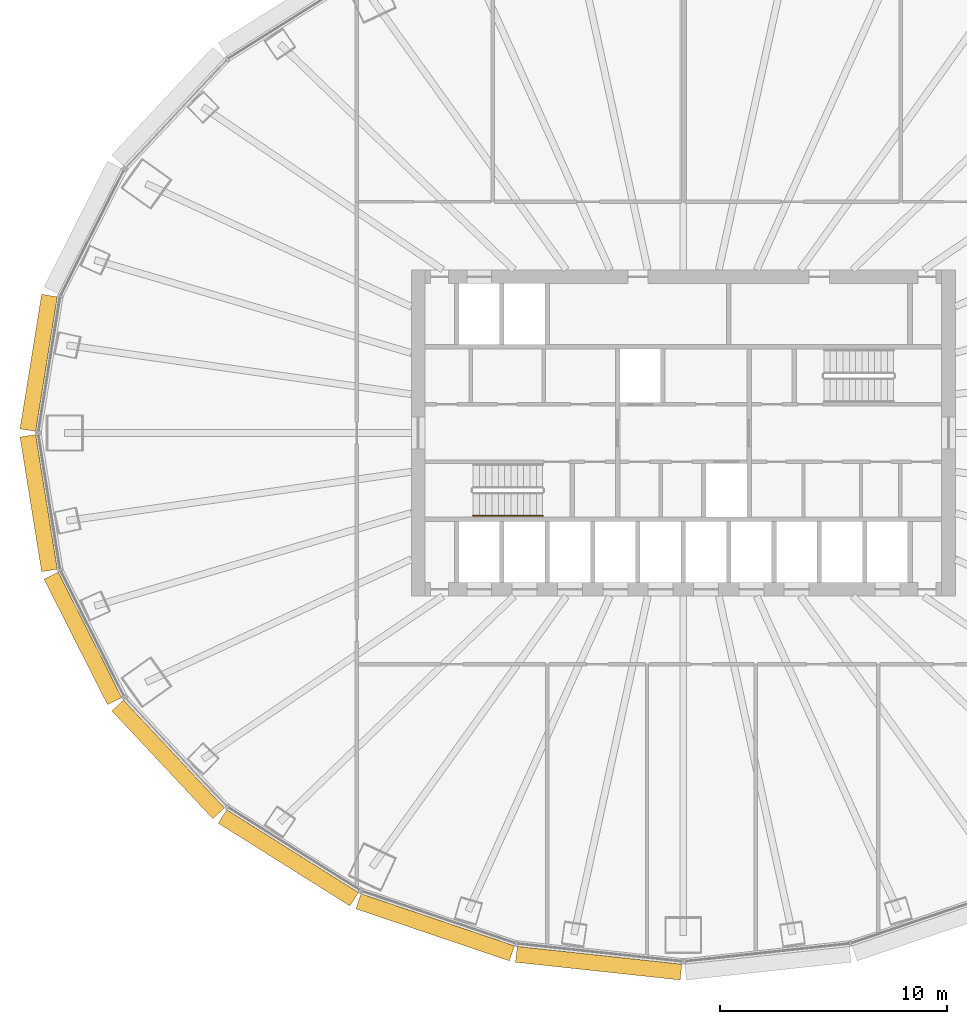
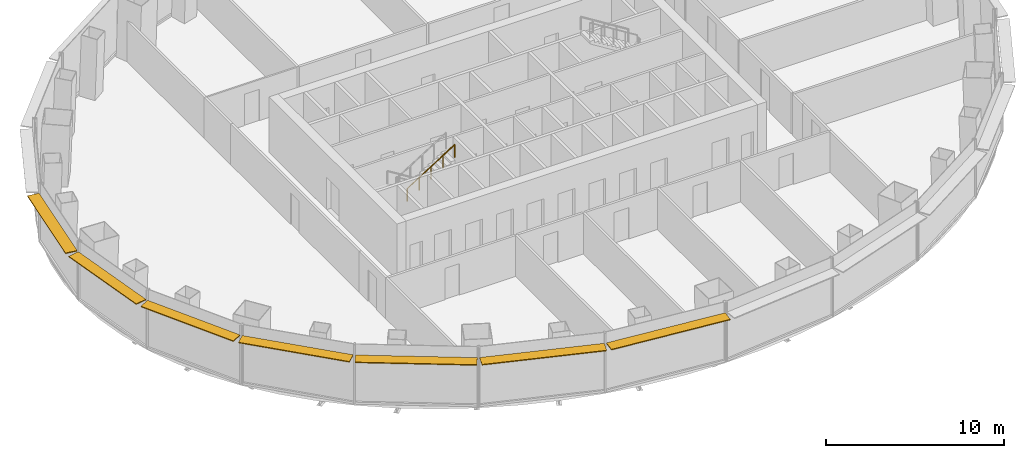
# One storey, part 10 of 13: 7 shading devices, 1 railing.
"""IFC4 building model written with IfcOpenShell, lengths in metres."""

from ifc_helpers import new_model, si_unit, direction, frame, origin, origin_2d, place, context, subcontext, project, spatial, rectangle, circle, extrude, material, layer, layer_set, type_object, element, save


model = new_model("IFC4")

# Units and contexts
model_context = context("Model", 3, precision=1e-05, world=origin(), true_north=direction((0.0, 1.0)))
body_context = subcontext(model_context, "Body", "Model", "MODEL_VIEW")
ifc_project = project(units=[si_unit("LENGTHUNIT", "METRE"), si_unit("AREAUNIT", "SQUARE_METRE"), si_unit("VOLUMEUNIT", "CUBIC_METRE"), si_unit("PLANEANGLEUNIT", "RADIAN"), si_unit("MASSUNIT", "GRAM", prefix="KILO")], contexts=[model_context])

# Site, building, storey
site_placement = place(None, origin())
site = spatial("IfcSite", under=ifc_project, at=site_placement, CompositionType="ELEMENT")
building_placement = place(site_placement, origin())
building = spatial("IfcBuilding", under=site, at=building_placement, Name="Siaravel Broadcast Tower", CompositionType="ELEMENT")
storey_placement = place(building_placement, frame((0.0, 0.0, 32.89990234375)))
storey = spatial("IfcBuildingStorey", under=building, at=storey_placement, Name="L06", CompositionType="ELEMENT", Elevation=32.89990234375)

# Shading devices
ifc_material_1 = material(Name="Bronze anodised aluminium", Category="aluminium")
ifc_layer = layer(ifc_material_1, 0.06005859375)
ifc_layer_set = layer_set([ifc_layer], Name="Bronze anodised aluminium")
shading_device_type = type_object("IfcShadingDeviceType", Name="Brise-soleil band", PredefinedType="USERDEFINED", material=ifc_layer_set)
for number, where, z_axis, x_axis, name in (
    (1, (-28.435546875, 3.093505859375, 3.320068359375), (0.0, 0.0, 1.0), (-0.158685394, -0.987329198, 0.0), "L06 brise-soleil band 12"),
    (2, (-28.435546875, -3.093505859375, 3.320068359375), (0.0, 0.0, 1.0), (0.158685394, -0.987329198, 0.0), "L06 brise-soleil band 13"),
):
    element("IfcShadingDevice", number, at=place(storey_placement, frame(where, z_axis=z_axis, x_axis=x_axis)), inside=storey, type_object=shading_device_type, Name=name, ObjectType="SUNSHADE", PredefinedType="USERDEFINED", context=body_context, shape_type="SweptSolid", body=[
        extrude(rectangle(XDim=6.0146484375, YDim=0.699951171875, at=origin_2d()), origin(), (0.0, 0.0, 1.0), 0.06005859375),
    ])
shading_device_1_placement = place(storey_placement, frame((-26.4833984375, -9.06298828125, 3.320068359375), z_axis=(0.0, 0.0, 1.0), x_axis=(0.451262289, -0.892391364, 0.0)))
element("IfcShadingDevice", 3, at=shading_device_1_placement, inside=storey, type_object=shading_device_type, Name="L06 brise-soleil band 14", ObjectType="SUNSHADE", PredefinedType="USERDEFINED", context=body_context, shape_type="SweptSolid", body=[
    extrude(rectangle(XDim=6.20263671875, YDim=0.699951171875, at=origin_2d()), origin(), (0.0, 0.0, 1.0), 0.06005859375),
])
shading_device_2_placement = place(storey_placement, frame((-22.722900390625, -14.399169921875, 3.320068359375), z_axis=(0.0, 0.0, 1.0), x_axis=(0.683655992, -0.729804415, 0.0)))
element("IfcShadingDevice", 4, at=shading_device_2_placement, inside=storey, type_object=shading_device_type, Name="L06 brise-soleil band 15", ObjectType="SUNSHADE", PredefinedType="USERDEFINED", context=body_context, shape_type="SweptSolid", body=[
    extrude(rectangle(XDim=6.51611328125, YDim=0.699951171875, at=origin_2d()), origin(), (0.0, 0.0, 1.0), 0.06005859375),
])
shading_device_3_placement = place(storey_placement, frame((-17.42138671875, -18.742431640625, 3.320068359375), z_axis=(0.0, 0.0, 1.0), x_axis=(0.846651365, -0.532147974, 0.0)))
element("IfcShadingDevice", 5, at=shading_device_3_placement, inside=storey, type_object=shading_device_type, Name="L06 brise-soleil band 16", ObjectType="SUNSHADE", PredefinedType="USERDEFINED", context=body_context, shape_type="SweptSolid", body=[
    extrude(rectangle(XDim=6.860107421875, YDim=0.699951171875, at=origin_2d()), origin(), (0.0, 0.0, 1.0), 0.06005859375),
])
shading_device_4_placement = place(storey_placement, frame((-10.944580078125, -21.805908203125, 3.320068359375), z_axis=(0.0, 0.0, 1.0), x_axis=(0.946977245, -0.321300635, 0.0)))
element("IfcShadingDevice", 6, at=shading_device_4_placement, inside=storey, type_object=shading_device_type, Name="L06 brise-soleil band 17", ObjectType="SUNSHADE", PredefinedType="USERDEFINED", context=body_context, shape_type="SweptSolid", body=[
    extrude(rectangle(XDim=7.145263671875, YDim=0.699951171875, at=origin_2d()), origin(), (0.0, 0.0, 1.0), 0.06005859375),
])
shading_device_5_placement = place(storey_placement, frame((-3.731689453125, -23.388916015625, 3.320068359375), z_axis=(0.0, 0.0, 1.0), x_axis=(0.994235667, -0.107216783, 0.0)))
element("IfcShadingDevice", 7, at=shading_device_5_placement, inside=storey, type_object=shading_device_type, Name="L06 brise-soleil band 18", ObjectType="SUNSHADE", PredefinedType="USERDEFINED", context=body_context, shape_type="SweptSolid", body=[
    extrude(rectangle(XDim=7.3046875, YDim=0.699951171875, at=origin_2d()), origin(), (0.0, 0.0, 1.0), 0.06005859375),
])

# Railing
ifc_material_2 = material(Name="Stainless steel 316L", Category="steel")
railing_type = type_object("IfcRailingType", Name="Stair handrail 900", PredefinedType="HANDRAIL", material=ifc_material_2)
railing_placement = place(storey_placement, frame((-9.280029296875, -3.64990234375, 2.275146484375)))
element("IfcRailing", 8, at=railing_placement, inside=storey, type_object=railing_type, Name="L06 ST-1 stair handrail 2", PredefinedType="HANDRAIL", context=body_context, shape_type="SweptSolid", body=[
    extrude(circle(Radius=0.02392578125, at=origin_2d()), frame((0.0, 0.0, 0.8759765625), z_axis=(0.847998304, 0.0, 0.52999894), x_axis=(0.0, 1.0, 0.0)), (0.0, 0.0, 1.0), 3.632080078125),
    extrude(circle(Radius=0.02099609375, at=origin_2d()), origin(), (0.0, 0.0, 1.0), 0.851806640625),
    extrude(circle(Radius=0.02099609375, at=origin_2d()), frame((0.77001953125, 0.0, 0.481201171875)), (0.0, 0.0, 1.0), 0.851806640625),
    extrude(circle(Radius=0.02099609375, at=origin_2d()), frame((1.5400390625, 0.0, 0.96240234375)), (0.0, 0.0, 1.0), 0.851806640625),
    extrude(circle(Radius=0.02099609375, at=origin_2d()), frame((2.31005859375, 0.0, 1.44384765625)), (0.0, 0.0, 1.0), 0.851806640625),
    extrude(circle(Radius=0.02099609375, at=origin_2d()), frame((3.080078125, 0.0, 1.925048828125)), (0.0, 0.0, 1.0), 0.851806640625),
])

save(model, "model.ifc")
